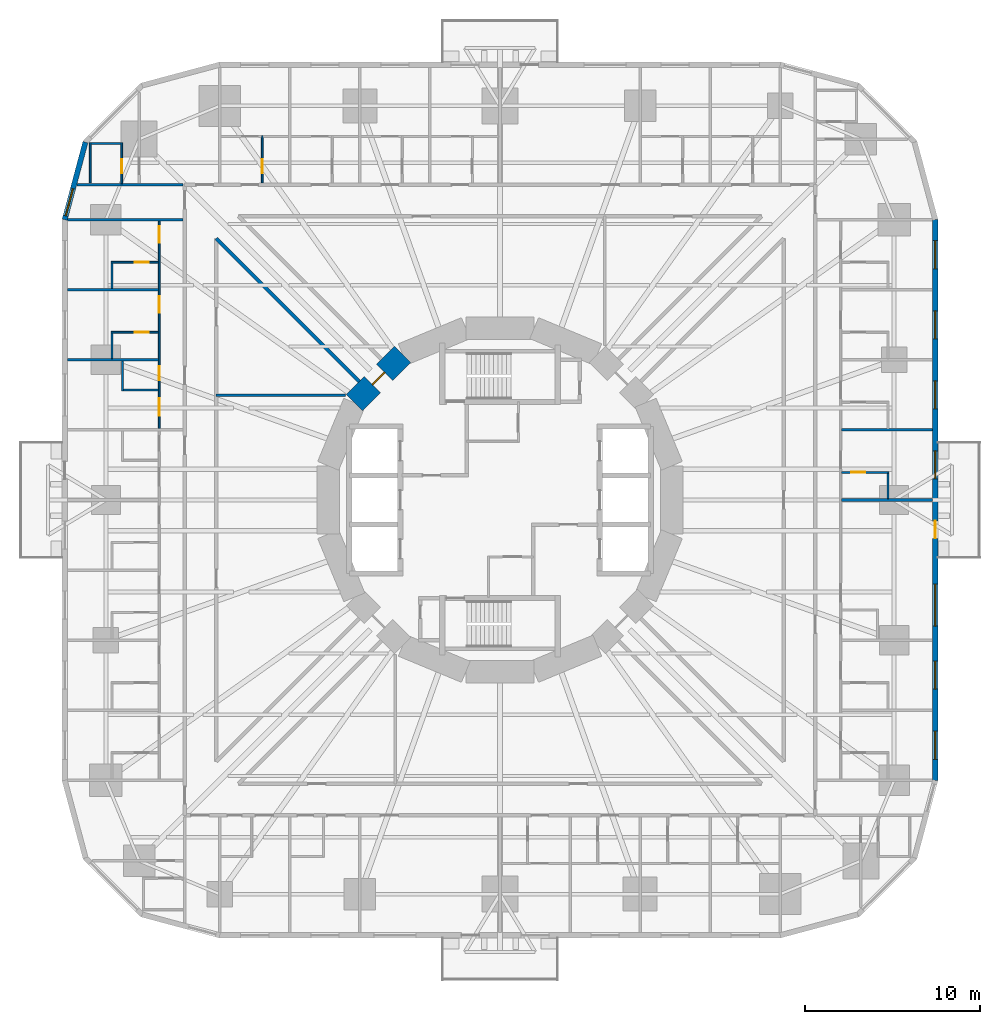
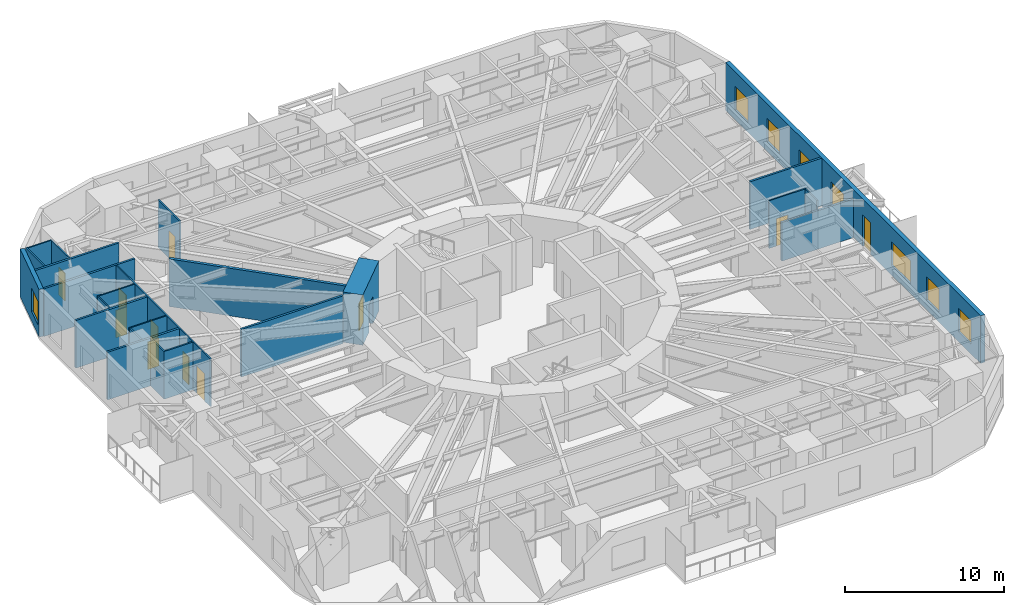
# One storey, part 9 of 14: 24 walls, 11 doors, 8 windows, 19 openings.
"""IFC4 building model written with IfcOpenShell, lengths in metres."""

from ifc_helpers import new_model, si_unit, direction, frame, frame_2d, origin, place, context, subcontext, project, spatial, rectangle, extrude, material, layer, layer_set, type_object, element, fill, save


model = new_model("IFC4")

# Units and contexts
model_context = context("Model", 3, precision=1e-05, world=origin(), true_north=direction((0.0, 1.0)))
body_context = subcontext(model_context, "Body", "Model", "MODEL_VIEW")
ifc_project = project(units=[si_unit("LENGTHUNIT", "METRE"), si_unit("AREAUNIT", "SQUARE_METRE"), si_unit("VOLUMEUNIT", "CUBIC_METRE"), si_unit("PLANEANGLEUNIT", "RADIAN"), si_unit("MASSUNIT", "GRAM", prefix="KILO")], contexts=[model_context])

# Site, building, storey
site_placement = place(None, origin())
site = spatial("IfcSite", under=ifc_project, at=site_placement, CompositionType="ELEMENT")
building_placement = place(site_placement, origin())
building = spatial("IfcBuilding", under=site, at=building_placement, Name="Nakasero Lantern House", CompositionType="ELEMENT")
storey_placement = place(building_placement, frame((0.0, 0.0, 27.550048828125)))
storey = spatial("IfcBuildingStorey", under=building, at=storey_placement, Name="L06", CompositionType="ELEMENT", Elevation=27.550048828125)

# Wall, openings, doors
ifc_material_1 = material(Name="Blockwork", Category="masonry")
ifc_layer_1 = layer(ifc_material_1, 0.10009765625)
ifc_layer_set_1 = layer_set([ifc_layer_1], Name="Cluster hall wall 100")
wall_type_1 = type_object("IfcWallType", Name="Cluster hall wall 100", PredefinedType="PARTITIONING", material=ifc_layer_set_1)
wall_1_placement = place(storey_placement, frame((-19.449951171875, 15.925048828125, 0.0), z_axis=(0.0, 0.0, 1.0), x_axis=(0.0, -1.0, 0.0)))
wall_1 = element("IfcWall", 1, at=wall_1_placement, inside=storey, type_object=wall_type_1, Name="Cluster hall wall L06 HW2-0", PredefinedType="PARTITIONING", context=body_context, shape_type="SweptSolid", body=[
    extrude(rectangle(XDim=11.85009765625, YDim=0.10009765625, at=frame_2d((5.925048828125, 0.0))), origin(), (0.0, 0.0, 1.0), 3.64990234375),
])
opening_1_placement = place(wall_1_placement, frame((10.125, 0.0, 0.0)))
opening_1 = element("IfcOpeningElement", 2, at=opening_1_placement, cuts=wall_1, Name="Opening D03", PredefinedType="OPENING", context=body_context, shape_type="SweptSolid", body=[
    extrude(rectangle(XDim=1.0, YDim=2.10009765625, at=frame_2d((0.5, 1.050048828125))), frame((0.0, 0.070068359375, 0.0), z_axis=(0.0, -1.0, 0.0), x_axis=(1.0, 0.0, 0.0)), (0.0, 0.0, 1.0), 0.14013671875),
])
opening_2_placement = place(wall_1_placement, frame((8.300048828125, 0.0, 0.0)))
opening_2 = element("IfcOpeningElement", 3, at=opening_2_placement, cuts=wall_1, Name="Opening D02", PredefinedType="OPENING", context=body_context, shape_type="SweptSolid", body=[
    extrude(rectangle(XDim=0.800048828125, YDim=2.10009765625, at=frame_2d((0.39990234375, 1.050048828125))), frame((0.0, 0.070068359375, 0.0), z_axis=(0.0, -1.0, 0.0), x_axis=(1.0, 0.0, 0.0)), (0.0, 0.0, 1.0), 0.14013671875),
])
opening_3_placement = place(wall_1_placement, frame((0.300048828125, 0.0, 0.0)))
opening_3 = element("IfcOpeningElement", 4, at=opening_3_placement, cuts=wall_1, Name="Opening D01", PredefinedType="OPENING", context=body_context, shape_type="SweptSolid", body=[
    extrude(rectangle(XDim=0.949951171875, YDim=2.10009765625, at=frame_2d((0.47509765625, 1.050048828125))), frame((0.0, 0.070068359375, 0.0), z_axis=(0.0, -1.0, 0.0), x_axis=(1.0, 0.0, 0.0)), (0.0, 0.0, 1.0), 0.14013671875),
])
opening_4_placement = place(wall_1_placement, frame((4.300048828125, 0.0, 0.0)))
opening_4 = element("IfcOpeningElement", 5, at=opening_4_placement, cuts=wall_1, Name="Opening D01", PredefinedType="OPENING", context=body_context, shape_type="SweptSolid", body=[
    extrude(rectangle(XDim=0.949951171875, YDim=2.10009765625, at=frame_2d((0.47509765625, 1.050048828125))), frame((0.0, 0.070068359375, 0.0), z_axis=(0.0, -1.0, 0.0), x_axis=(1.0, 0.0, 0.0)), (0.0, 0.0, 1.0), 0.14013671875),
])
ifc_material_2 = material(Name="Timber C24", Category="wood")
door_type_1 = type_object("IfcDoorType", Name="Bedroom door FD30S 950", OperationType="SINGLE_SWING_LEFT", PredefinedType="DOOR", material=ifc_material_2)
door_1_placement = place(opening_3_placement, origin())
door_1 = element("IfcDoor", 6, at=door_1_placement, inside=storey, type_object=door_type_1, Name="Door L06 D2-01", OperationType="SINGLE_SWING_LEFT", OverallHeight=2.10009765625, OverallWidth=0.949951171875, PredefinedType="DOOR", context=body_context, shape_type="SweptSolid", body=[
    extrude(rectangle(XDim=0.949951171875, YDim=2.10009765625, at=frame_2d((0.47509765625, 1.050048828125))), frame((0.0, 0.02490234375, 0.0), z_axis=(0.0, -1.0, 0.0), x_axis=(1.0, 0.0, 0.0)), (0.0, 0.0, 1.0), 0.050048828125),
])
fill(opening_3, door_1)
door_2_placement = place(opening_4_placement, origin())
door_2 = element("IfcDoor", 7, at=door_2_placement, inside=storey, type_object=door_type_1, Name="Door L06 D2-02", OperationType="SINGLE_SWING_LEFT", OverallHeight=2.10009765625, OverallWidth=0.949951171875, PredefinedType="DOOR", context=body_context, shape_type="SweptSolid", body=[
    extrude(rectangle(XDim=0.949951171875, YDim=2.10009765625, at=frame_2d((0.47509765625, 1.050048828125))), frame((0.0, 0.02490234375, 0.0), z_axis=(0.0, -1.0, 0.0), x_axis=(1.0, 0.0, 0.0)), (0.0, 0.0, 1.0), 0.050048828125),
])
fill(opening_4, door_2)
ifc_material_3 = material(Name="Timber C24", Category="wood")
door_type_2 = type_object("IfcDoorType", Name="En-suite door 800", OperationType="SINGLE_SWING_RIGHT", PredefinedType="DOOR", material=ifc_material_3)
door_3_placement = place(opening_2_placement, origin())
door_3 = element("IfcDoor", 8, at=door_3_placement, inside=storey, type_object=door_type_2, Name="Door L06 DSH2-0", OperationType="SINGLE_SWING_RIGHT", OverallHeight=2.10009765625, OverallWidth=0.800048828125, PredefinedType="DOOR", context=body_context, shape_type="SweptSolid", body=[
    extrude(rectangle(XDim=0.800048828125, YDim=2.10009765625, at=frame_2d((0.39990234375, 1.050048828125))), frame((0.0, 0.02490234375, 0.0), z_axis=(0.0, -1.0, 0.0), x_axis=(1.0, 0.0, 0.0)), (0.0, 0.0, 1.0), 0.050048828125),
])
fill(opening_2, door_3)
ifc_material_4 = material(Name="Timber C24", Category="wood")
door_type_3 = type_object("IfcDoorType", Name="Lounge door FD30S 1000", OperationType="SINGLE_SWING_LEFT", PredefinedType="DOOR", material=ifc_material_4)
door_4_placement = place(opening_1_placement, origin())
door_4 = element("IfcDoor", 9, at=door_4_placement, inside=storey, type_object=door_type_3, Name="Door L06 DH2-0", OperationType="SINGLE_SWING_RIGHT", OverallHeight=2.10009765625, OverallWidth=1.0, PredefinedType="DOOR", context=body_context, shape_type="SweptSolid", body=[
    extrude(rectangle(XDim=1.0, YDim=2.10009765625, at=frame_2d((0.5, 1.050048828125))), frame((0.0, 0.02490234375, 0.0), z_axis=(0.0, -1.0, 0.0), x_axis=(1.0, 0.0, 0.0)), (0.0, 0.0, 1.0), 0.050048828125),
])
fill(opening_1, door_4)

# Wall, opening, door
ifc_material_5 = material(Name="Concrete C50/60", Category="concrete")
ifc_layer_2 = layer(ifc_material_5, 1.300048828125)
ifc_layer_set_2 = layer_set([ifc_layer_2], Name="Core wall 1300")
wall_type_2 = type_object("IfcWallType", Name="Core wall 1300", PredefinedType="SHEAR", material=ifc_layer_set_2)
wall_2_placement = place(storey_placement, frame((-5.5556640625, 8.314697265625, 0.0), z_axis=(0.0, 0.0, 1.0), x_axis=(-0.707106781187, -0.707106781187, 0.0)))
wall_2 = element("IfcWall", 10, at=wall_2_placement, inside=storey, type_object=wall_type_2, Name="Core wall L06 facet 6", PredefinedType="SHEAR", context=body_context, shape_type="SweptSolid", body=[
    extrude(rectangle(XDim=3.90185546875, YDim=1.300048828125, at=frame_2d((1.950927734375, 0.0))), origin(), (0.0, 0.0, 1.0), 3.849853515625),
])
opening_5_placement = place(wall_2_placement, frame((1.450927734375, 0.0, 0.0)))
opening_5 = element("IfcOpeningElement", 11, at=opening_5_placement, cuts=wall_2, Name="Opening D05", PredefinedType="OPENING", context=body_context, shape_type="SweptSolid", body=[
    extrude(rectangle(XDim=1.0, YDim=2.10009765625, at=frame_2d((0.5, 1.050048828125))), frame((0.0, 0.669921875, 0.0), z_axis=(0.0, -1.0, 0.0), x_axis=(1.0, 0.0, 0.0)), (0.0, 0.0, 1.0), 1.340087890625),
])
ifc_material_6 = material(Name="Timber C24", Category="wood")
door_type_4 = type_object("IfcDoorType", Name="Core door FD60S 1000", OperationType="SINGLE_SWING_LEFT", PredefinedType="DOOR", material=ifc_material_6)
door_5_placement = place(opening_5_placement, origin())
door_5 = element("IfcDoor", 12, at=door_5_placement, inside=storey, type_object=door_type_4, Name="Door L06 D-CORE06", OperationType="SINGLE_SWING_LEFT", OverallHeight=2.10009765625, OverallWidth=1.0, PredefinedType="DOOR", context=body_context, shape_type="SweptSolid", body=[
    extrude(rectangle(XDim=1.0, YDim=2.10009765625, at=frame_2d((0.5, 1.050048828125))), frame((0.0, 0.02490234375, 0.0), z_axis=(0.0, -1.0, 0.0), x_axis=(1.0, 0.0, 0.0)), (0.0, 0.0, 1.0), 0.050048828125),
])
fill(opening_5, door_5)

# Wall
ifc_material_7 = material(Name="Blockwork", Category="masonry")
ifc_layer_3 = layer(ifc_material_7, 0.199951171875)
ifc_layer_set_3 = layer_set([ifc_layer_3], Name="Corridor wall 200")
wall_type_3 = type_object("IfcWallType", Name="Corridor wall 200", PredefinedType="PARTITIONING", material=ifc_layer_set_3)
wall_3_placement = place(storey_placement, frame((-8.03125, 6.758544921875, 0.0), z_axis=(0.0, 0.0, 1.0), x_axis=(-0.707106781187, 0.707106781187, 0.0)))
element("IfcWall", 13, at=wall_3_placement, inside=storey, type_object=wall_type_3, Name="Corridor wall L06 PS06a", PredefinedType="PARTITIONING", context=body_context, shape_type="SweptSolid", body=[
    extrude(rectangle(XDim=11.55224609375, YDim=0.199951171875, at=frame_2d((5.776123046875, 0.0))), origin(), (0.0, 0.0, 1.0), 3.64990234375),
])

# Wall, opening, door
ifc_material_8 = material(Name="Blockwork", Category="masonry")
ifc_layer_4 = layer(ifc_material_8, 0.10009765625)
ifc_layer_set_4 = layer_set([ifc_layer_4], Name="En-suite wall 100")
wall_type_4 = type_object("IfcWallType", Name="En-suite wall 100", PredefinedType="PARTITIONING", material=ifc_layer_set_4)
wall_4_placement = place(storey_placement, frame((19.5, 1.574951171875, 0.0), z_axis=(0.0, 0.0, 1.0), x_axis=(1.0, 0.0, 0.0)))
wall_4 = element("IfcWall", 14, at=wall_4_placement, inside=storey, type_object=wall_type_4, Name="En-suite wall L06 ES0-05", PredefinedType="PARTITIONING", context=body_context, shape_type="SweptSolid", body=[
    extrude(rectangle(XDim=2.699951171875, YDim=0.10009765625, at=frame_2d((1.35009765625, 0.0))), origin(), (0.0, 0.0, 1.0), 3.64990234375),
])
opening_6_placement = place(wall_4_placement, frame((0.550048828125, 0.0, 0.0)))
opening_6 = element("IfcOpeningElement", 15, at=opening_6_placement, cuts=wall_4, Name="Opening D02", PredefinedType="OPENING", context=body_context, shape_type="SweptSolid", body=[
    extrude(rectangle(XDim=0.800048828125, YDim=2.10009765625, at=frame_2d((0.39990234375, 1.050048828125))), frame((0.0, 0.070068359375, 0.0), z_axis=(0.0, -1.0, 0.0), x_axis=(1.0, 0.0, 0.0)), (0.0, 0.0, 1.0), 0.14013671875),
])
door_6_placement = place(opening_6_placement, origin())
door_6 = element("IfcDoor", 16, at=door_6_placement, inside=storey, type_object=door_type_2, Name="Door L06 DE0-05", OperationType="SINGLE_SWING_LEFT", OverallHeight=2.10009765625, OverallWidth=0.800048828125, PredefinedType="DOOR", context=body_context, shape_type="SweptSolid", body=[
    extrude(rectangle(XDim=0.800048828125, YDim=2.10009765625, at=frame_2d((0.39990234375, 1.050048828125))), frame((0.0, 0.02490234375, 0.0), z_axis=(0.0, -1.0, 0.0), x_axis=(1.0, 0.0, 0.0)), (0.0, 0.0, 1.0), 0.050048828125),
])
fill(opening_6, door_6)

# Wall
wall_5_placement = place(storey_placement, frame((22.14990234375, 0.074951171875, 0.0), z_axis=(0.0, 0.0, 1.0), x_axis=(0.0, 1.0, 0.0)))
element("IfcWall", 17, at=wall_5_placement, inside=storey, type_object=wall_type_4, Name="En-suite wall L06 EE0-05", PredefinedType="PARTITIONING", context=body_context, shape_type="SweptSolid", body=[
    extrude(rectangle(XDim=1.449951171875, YDim=0.10009765625, at=frame_2d((0.72509765625, 0.0))), origin(), (0.0, 0.0, 1.0), 3.64990234375),
])

# Wall, opening, door
wall_6_placement = place(storey_placement, frame((-13.574951171875, 18.10009765625, 0.0), z_axis=(0.0, 0.0, 1.0), x_axis=(0.0, 1.0, 0.0)))
wall_6 = element("IfcWall", 18, at=wall_6_placement, inside=storey, type_object=wall_type_4, Name="En-suite wall L06 ES1-08", PredefinedType="PARTITIONING", context=body_context, shape_type="SweptSolid", body=[
    extrude(rectangle(XDim=2.699951171875, YDim=0.10009765625, at=frame_2d((1.35009765625, 0.0))), origin(), (0.0, 0.0, 1.0), 3.64990234375),
])
opening_7_placement = place(wall_6_placement, frame((0.550048828125, 0.0, 0.0)))
opening_7 = element("IfcOpeningElement", 19, at=opening_7_placement, cuts=wall_6, Name="Opening D02", PredefinedType="OPENING", context=body_context, shape_type="SweptSolid", body=[
    extrude(rectangle(XDim=0.800048828125, YDim=2.10009765625, at=frame_2d((0.39990234375, 1.050048828125))), frame((0.0, 0.070068359375, 0.0), z_axis=(0.0, -1.0, 0.0), x_axis=(1.0, 0.0, 0.0)), (0.0, 0.0, 1.0), 0.14013671875),
])
door_7_placement = place(opening_7_placement, origin())
door_7 = element("IfcDoor", 20, at=door_7_placement, inside=storey, type_object=door_type_2, Name="Door L06 DE1-08", OperationType="SINGLE_SWING_LEFT", OverallHeight=2.10009765625, OverallWidth=0.800048828125, PredefinedType="DOOR", context=body_context, shape_type="SweptSolid", body=[
    extrude(rectangle(XDim=0.800048828125, YDim=2.10009765625, at=frame_2d((0.39990234375, 1.050048828125))), frame((0.0, 0.02490234375, 0.0), z_axis=(0.0, -1.0, 0.0), x_axis=(1.0, 0.0, 0.0)), (0.0, 0.0, 1.0), 0.050048828125),
])
fill(opening_7, door_7)

wall_7_placement = place(storey_placement, frame((-21.59619140625, 18.06494140625, 0.0), z_axis=(0.0, 0.0, 1.0), x_axis=(0.0, 1.0, 0.0)))
wall_7 = element("IfcWall", 21, at=wall_7_placement, inside=storey, type_object=wall_type_4, Name="En-suite wall L06 ES1-09", PredefinedType="PARTITIONING", context=body_context, shape_type="SweptSolid", body=[
    extrude(rectangle(XDim=2.3349609375, YDim=0.10009765625, at=frame_2d((1.16748046875, 0.0))), origin(), (0.0, 0.0, 1.0), 3.64990234375),
])
opening_8_placement = place(wall_7_placement, frame((0.5849609375, 0.0, 0.0)))
opening_8 = element("IfcOpeningElement", 22, at=opening_8_placement, cuts=wall_7, Name="Opening D02", PredefinedType="OPENING", context=body_context, shape_type="SweptSolid", body=[
    extrude(rectangle(XDim=0.800048828125, YDim=2.10009765625, at=frame_2d((0.39990234375, 1.050048828125))), frame((0.0, 0.070068359375, 0.0), z_axis=(0.0, -1.0, 0.0), x_axis=(1.0, 0.0, 0.0)), (0.0, 0.0, 1.0), 0.14013671875),
])
door_8_placement = place(opening_8_placement, origin())
door_8 = element("IfcDoor", 23, at=door_8_placement, inside=storey, type_object=door_type_2, Name="Door L06 DE1-09", OperationType="SINGLE_SWING_LEFT", OverallHeight=2.10009765625, OverallWidth=0.800048828125, PredefinedType="DOOR", context=body_context, shape_type="SweptSolid", body=[
    extrude(rectangle(XDim=0.800048828125, YDim=2.10009765625, at=frame_2d((0.39990234375, 1.050048828125))), frame((0.0, 0.02490234375, 0.0), z_axis=(0.0, -1.0, 0.0), x_axis=(1.0, 0.0, 0.0)), (0.0, 0.0, 1.0), 0.050048828125),
])
fill(opening_8, door_8)

# Walls
wall_8_placement = place(storey_placement, frame((-21.646240234375, 20.35009765625, 0.0), z_axis=(0.0, 0.0, 1.0), x_axis=(-1.0, 0.0, 0.0)))
element("IfcWall", 24, at=wall_8_placement, inside=storey, type_object=wall_type_4, Name="En-suite wall L06 EE1-09", PredefinedType="PARTITIONING", context=body_context, shape_type="SweptSolid", body=[
    extrude(rectangle(XDim=1.699951171875, YDim=0.10009765625, at=frame_2d((0.85009765625, 0.0))), origin(), (0.0, 0.0, 1.0), 3.64990234375),
])
wall_9_placement = place(storey_placement, frame((-23.396240234375, 18.10009765625, 0.0), z_axis=(0.0, 0.0, 1.0), x_axis=(0.0, 1.0, 0.0)))
element("IfcWall", 25, at=wall_9_placement, inside=storey, type_object=wall_type_4, Name="En-suite wall L06 EV1-09", PredefinedType="PARTITIONING", context=body_context, shape_type="SweptSolid", body=[
    extrude(rectangle(XDim=2.2998046875, YDim=0.10009765625, at=frame_2d((1.14990234375, 0.0))), origin(), (0.0, 0.0, 1.0), 3.64990234375),
])
wall_10_placement = place(storey_placement, frame((-19.5, 6.27490234375, 0.0), z_axis=(0.0, 0.0, 1.0), x_axis=(-1.0, 0.0, 0.0)))
element("IfcWall", 26, at=wall_10_placement, inside=storey, type_object=wall_type_4, Name="En-suite wall L06 SS2-0", PredefinedType="PARTITIONING", context=body_context, shape_type="SweptSolid", body=[
    extrude(rectangle(XDim=2.10009765625, YDim=0.10009765625, at=frame_2d((1.050048828125, 0.0))), origin(), (0.0, 0.0, 1.0), 3.64990234375),
])
wall_11_placement = place(storey_placement, frame((-21.550048828125, 7.925048828125, 0.0), z_axis=(0.0, 0.0, 1.0), x_axis=(0.0, -1.0, 0.0)))
element("IfcWall", 27, at=wall_11_placement, inside=storey, type_object=wall_type_4, Name="En-suite wall L06 SE2-0", PredefinedType="PARTITIONING", context=body_context, shape_type="SweptSolid", body=[
    extrude(rectangle(XDim=1.699951171875, YDim=0.10009765625, at=frame_2d((0.85009765625, 0.0))), origin(), (0.0, 0.0, 1.0), 3.64990234375),
])

# Wall, opening, door
wall_12_placement = place(storey_placement, frame((-19.5, 13.574951171875, 0.0), z_axis=(0.0, 0.0, 1.0), x_axis=(-1.0, 0.0, 0.0)))
wall_12 = element("IfcWall", 28, at=wall_12_placement, inside=storey, type_object=wall_type_4, Name="En-suite wall L06 ES2-01", PredefinedType="PARTITIONING", context=body_context, shape_type="SweptSolid", body=[
    extrude(rectangle(XDim=2.699951171875, YDim=0.10009765625, at=frame_2d((1.35009765625, 0.0))), origin(), (0.0, 0.0, 1.0), 3.64990234375),
])
opening_9_placement = place(wall_12_placement, frame((0.550048828125, 0.0, 0.0)))
opening_9 = element("IfcOpeningElement", 29, at=opening_9_placement, cuts=wall_12, Name="Opening D02", PredefinedType="OPENING", context=body_context, shape_type="SweptSolid", body=[
    extrude(rectangle(XDim=0.800048828125, YDim=2.10009765625, at=frame_2d((0.39990234375, 1.050048828125))), frame((0.0, 0.070068359375, 0.0), z_axis=(0.0, -1.0, 0.0), x_axis=(1.0, 0.0, 0.0)), (0.0, 0.0, 1.0), 0.14013671875),
])
door_9_placement = place(opening_9_placement, origin())
door_9 = element("IfcDoor", 30, at=door_9_placement, inside=storey, type_object=door_type_2, Name="Door L06 DE2-01", OperationType="SINGLE_SWING_LEFT", OverallHeight=2.10009765625, OverallWidth=0.800048828125, PredefinedType="DOOR", context=body_context, shape_type="SweptSolid", body=[
    extrude(rectangle(XDim=0.800048828125, YDim=2.10009765625, at=frame_2d((0.39990234375, 1.050048828125))), frame((0.0, 0.02490234375, 0.0), z_axis=(0.0, -1.0, 0.0), x_axis=(1.0, 0.0, 0.0)), (0.0, 0.0, 1.0), 0.050048828125),
])
fill(opening_9, door_9)

# Wall
wall_13_placement = place(storey_placement, frame((-22.14990234375, 13.52490234375, 0.0), z_axis=(0.0, 0.0, 1.0), x_axis=(0.0, -1.0, 0.0)))
element("IfcWall", 31, at=wall_13_placement, inside=storey, type_object=wall_type_4, Name="En-suite wall L06 EE2-01", PredefinedType="PARTITIONING", context=body_context, shape_type="SweptSolid", body=[
    extrude(rectangle(XDim=1.449951171875, YDim=0.10009765625, at=frame_2d((0.72509765625, 0.0))), origin(), (0.0, 0.0, 1.0), 3.64990234375),
])

# Wall, opening, door
wall_14_placement = place(storey_placement, frame((-19.5, 9.574951171875, 0.0), z_axis=(0.0, 0.0, 1.0), x_axis=(-1.0, 0.0, 0.0)))
wall_14 = element("IfcWall", 32, at=wall_14_placement, inside=storey, type_object=wall_type_4, Name="En-suite wall L06 ES2-02", PredefinedType="PARTITIONING", context=body_context, shape_type="SweptSolid", body=[
    extrude(rectangle(XDim=2.699951171875, YDim=0.10009765625, at=frame_2d((1.35009765625, 0.0))), origin(), (0.0, 0.0, 1.0), 3.64990234375),
])
opening_10_placement = place(wall_14_placement, frame((0.550048828125, 0.0, 0.0)))
opening_10 = element("IfcOpeningElement", 33, at=opening_10_placement, cuts=wall_14, Name="Opening D02", PredefinedType="OPENING", context=body_context, shape_type="SweptSolid", body=[
    extrude(rectangle(XDim=0.800048828125, YDim=2.10009765625, at=frame_2d((0.39990234375, 1.050048828125))), frame((0.0, 0.070068359375, 0.0), z_axis=(0.0, -1.0, 0.0), x_axis=(1.0, 0.0, 0.0)), (0.0, 0.0, 1.0), 0.14013671875),
])
door_10_placement = place(opening_10_placement, origin())
door_10 = element("IfcDoor", 34, at=door_10_placement, inside=storey, type_object=door_type_2, Name="Door L06 DE2-02", OperationType="SINGLE_SWING_LEFT", OverallHeight=2.10009765625, OverallWidth=0.800048828125, PredefinedType="DOOR", context=body_context, shape_type="SweptSolid", body=[
    extrude(rectangle(XDim=0.800048828125, YDim=2.10009765625, at=frame_2d((0.39990234375, 1.050048828125))), frame((0.0, 0.02490234375, 0.0), z_axis=(0.0, -1.0, 0.0), x_axis=(1.0, 0.0, 0.0)), (0.0, 0.0, 1.0), 0.050048828125),
])
fill(opening_10, door_10)

# Wall
wall_15_placement = place(storey_placement, frame((-22.14990234375, 9.52490234375, 0.0), z_axis=(0.0, 0.0, 1.0), x_axis=(0.0, -1.0, 0.0)))
element("IfcWall", 35, at=wall_15_placement, inside=storey, type_object=wall_type_4, Name="En-suite wall L06 EE2-02", PredefinedType="PARTITIONING", context=body_context, shape_type="SweptSolid", body=[
    extrude(rectangle(XDim=1.449951171875, YDim=0.10009765625, at=frame_2d((0.72509765625, 0.0))), origin(), (0.0, 0.0, 1.0), 3.64990234375),
])

# Wall, openings, door, windows
ifc_material_9 = material(Name="Aluminium rainscreen on blockwork", Category="masonry")
ifc_layer_5 = layer(ifc_material_9, 0.300048828125)
ifc_layer_set_5 = layer_set([ifc_layer_5], Name="Facade wall 300")
wall_type_5 = type_object("IfcWallType", Name="Facade wall 300", PredefinedType="SOLIDWALL", material=ifc_layer_set_5)
wall_16_placement = place(storey_placement, frame((24.85009765625, -16.0, 0.0), z_axis=(0.0, 0.0, 1.0), x_axis=(0.0, 1.0, 0.0)))
wall_16 = element("IfcWall", 36, at=wall_16_placement, inside=storey, type_object=wall_type_5, Name="Facade wall L06 FW0S", PredefinedType="SOLIDWALL", context=body_context, shape_type="SweptSolid", body=[
    extrude(rectangle(XDim=32.0, YDim=0.300048828125, at=frame_2d((16.0, 0.0))), origin(), (0.0, 0.0, 1.0), 3.64990234375),
])
opening_11_placement = place(wall_16_placement, frame((1.199951171875, 0.0, 0.75)))
opening_11 = element("IfcOpeningElement", 37, at=opening_11_placement, cuts=wall_16, Name="Opening W01", PredefinedType="OPENING", context=body_context, shape_type="SweptSolid", body=[
    extrude(rectangle(XDim=1.60009765625, YDim=1.800048828125, at=frame_2d((0.800048828125, 0.89990234375))), frame((0.0, 0.169921875, 0.0), z_axis=(0.0, -1.0, 0.0), x_axis=(1.0, 0.0, 0.0)), (0.0, 0.0, 1.0), 0.340087890625),
])
opening_12_placement = place(wall_16_placement, frame((5.199951171875, 0.0, 0.75)))
opening_12 = element("IfcOpeningElement", 38, at=opening_12_placement, cuts=wall_16, Name="Opening W01", PredefinedType="OPENING", context=body_context, shape_type="SweptSolid", body=[
    extrude(rectangle(XDim=1.60009765625, YDim=1.800048828125, at=frame_2d((0.800048828125, 0.89990234375))), frame((0.0, 0.169921875, 0.0), z_axis=(0.0, -1.0, 0.0), x_axis=(1.0, 0.0, 0.0)), (0.0, 0.0, 1.0), 0.340087890625),
])
opening_13_placement = place(wall_16_placement, frame((17.199951171875, 0.0, 0.75)))
opening_13 = element("IfcOpeningElement", 39, at=opening_13_placement, cuts=wall_16, Name="Opening W01", PredefinedType="OPENING", context=body_context, shape_type="SweptSolid", body=[
    extrude(rectangle(XDim=1.60009765625, YDim=1.800048828125, at=frame_2d((0.800048828125, 0.89990234375))), frame((0.0, 0.169921875, 0.0), z_axis=(0.0, -1.0, 0.0), x_axis=(1.0, 0.0, 0.0)), (0.0, 0.0, 1.0), 0.340087890625),
])
opening_14_placement = place(wall_16_placement, frame((21.199951171875, 0.0, 0.75)))
opening_14 = element("IfcOpeningElement", 40, at=opening_14_placement, cuts=wall_16, Name="Opening W01", PredefinedType="OPENING", context=body_context, shape_type="SweptSolid", body=[
    extrude(rectangle(XDim=1.60009765625, YDim=1.800048828125, at=frame_2d((0.800048828125, 0.89990234375))), frame((0.0, 0.169921875, 0.0), z_axis=(0.0, -1.0, 0.0), x_axis=(1.0, 0.0, 0.0)), (0.0, 0.0, 1.0), 0.340087890625),
])
opening_15_placement = place(wall_16_placement, frame((25.199951171875, 0.0, 0.75)))
opening_15 = element("IfcOpeningElement", 41, at=opening_15_placement, cuts=wall_16, Name="Opening W01", PredefinedType="OPENING", context=body_context, shape_type="SweptSolid", body=[
    extrude(rectangle(XDim=1.60009765625, YDim=1.800048828125, at=frame_2d((0.800048828125, 0.89990234375))), frame((0.0, 0.169921875, 0.0), z_axis=(0.0, -1.0, 0.0), x_axis=(1.0, 0.0, 0.0)), (0.0, 0.0, 1.0), 0.340087890625),
])
opening_16_placement = place(wall_16_placement, frame((29.199951171875, 0.0, 0.75)))
opening_16 = element("IfcOpeningElement", 42, at=opening_16_placement, cuts=wall_16, Name="Opening W01", PredefinedType="OPENING", context=body_context, shape_type="SweptSolid", body=[
    extrude(rectangle(XDim=1.60009765625, YDim=1.800048828125, at=frame_2d((0.800048828125, 0.89990234375))), frame((0.0, 0.169921875, 0.0), z_axis=(0.0, -1.0, 0.0), x_axis=(1.0, 0.0, 0.0)), (0.0, 0.0, 1.0), 0.340087890625),
])
opening_17_placement = place(wall_16_placement, frame((8.800048828125, 0.0, 0.75)))
opening_17 = element("IfcOpeningElement", 43, at=opening_17_placement, cuts=wall_16, Name="Opening W03", PredefinedType="OPENING", context=body_context, shape_type="SweptSolid", body=[
    extrude(rectangle(XDim=2.39990234375, YDim=1.800048828125, at=frame_2d((1.199951171875, 0.89990234375))), frame((0.0, 0.169921875, 0.0), z_axis=(0.0, -1.0, 0.0), x_axis=(1.0, 0.0, 0.0)), (0.0, 0.0, 1.0), 0.340087890625),
])
opening_18_placement = place(wall_16_placement, frame((13.8125, 0.0, 0.0)))
opening_18 = element("IfcOpeningElement", 44, at=opening_18_placement, cuts=wall_16, Name="Opening D04", PredefinedType="OPENING", context=body_context, shape_type="SweptSolid", body=[
    extrude(rectangle(XDim=1.0, YDim=2.39990234375, at=frame_2d((0.5, 1.199951171875))), frame((0.0, 0.169921875, 0.0), z_axis=(0.0, -1.0, 0.0), x_axis=(1.0, 0.0, 0.0)), (0.0, 0.0, 1.0), 0.340087890625),
])
ifc_material_10 = material(Name="Aluminium 6063-T6 and glass", Category="aluminium")
door_type_5 = type_object("IfcDoorType", Name="Balcony door 1000x2400", OperationType="SINGLE_SWING_RIGHT", PredefinedType="DOOR", material=ifc_material_10)
door_11_placement = place(opening_18_placement, origin())
door_11 = element("IfcDoor", 45, at=door_11_placement, inside=storey, type_object=door_type_5, Name="Balcony door L06 DB0", OperationType="SINGLE_SWING_RIGHT", OverallHeight=2.39990234375, OverallWidth=1.0, PredefinedType="DOOR", context=body_context, shape_type="SweptSolid", body=[
    extrude(rectangle(XDim=1.0, YDim=2.39990234375, at=frame_2d((0.5, 1.199951171875))), frame((0.0, 0.02490234375, 0.0), z_axis=(0.0, -1.0, 0.0), x_axis=(1.0, 0.0, 0.0)), (0.0, 0.0, 1.0), 0.050048828125),
])
fill(opening_18, door_11)
ifc_material_11 = material(Name="Aluminium 6063-T6 and glass", Category="aluminium")
window_type_1 = type_object("IfcWindowType", Name="Bedroom window 1600x1800", PartitioningType="SINGLE_PANEL", PredefinedType="WINDOW", material=ifc_material_11)
window_1_placement = place(opening_11_placement, origin())
window_1 = element("IfcWindow", 46, at=window_1_placement, inside=storey, type_object=window_type_1, Name="Window L06 WN0-01", OverallHeight=1.800048828125, OverallWidth=1.60009765625, PartitioningType="SINGLE_PANEL", PredefinedType="WINDOW", context=body_context, shape_type="SweptSolid", body=[
    extrude(rectangle(XDim=1.60009765625, YDim=1.800048828125, at=frame_2d((0.800048828125, 0.89990234375))), frame((0.0, 0.030029296875, 0.0), z_axis=(0.0, -1.0, 0.0), x_axis=(1.0, 0.0, 0.0)), (0.0, 0.0, 1.0), 0.06005859375),
])
fill(opening_11, window_1)
window_2_placement = place(opening_12_placement, origin())
window_2 = element("IfcWindow", 47, at=window_2_placement, inside=storey, type_object=window_type_1, Name="Window L06 WN0-02", OverallHeight=1.800048828125, OverallWidth=1.60009765625, PartitioningType="SINGLE_PANEL", PredefinedType="WINDOW", context=body_context, shape_type="SweptSolid", body=[
    extrude(rectangle(XDim=1.60009765625, YDim=1.800048828125, at=frame_2d((0.800048828125, 0.89990234375))), frame((0.0, 0.030029296875, 0.0), z_axis=(0.0, -1.0, 0.0), x_axis=(1.0, 0.0, 0.0)), (0.0, 0.0, 1.0), 0.06005859375),
])
fill(opening_12, window_2)
window_3_placement = place(opening_13_placement, origin())
window_3 = element("IfcWindow", 48, at=window_3_placement, inside=storey, type_object=window_type_1, Name="Window L06 WN0-05", OverallHeight=1.800048828125, OverallWidth=1.60009765625, PartitioningType="SINGLE_PANEL", PredefinedType="WINDOW", context=body_context, shape_type="SweptSolid", body=[
    extrude(rectangle(XDim=1.60009765625, YDim=1.800048828125, at=frame_2d((0.800048828125, 0.89990234375))), frame((0.0, 0.030029296875, 0.0), z_axis=(0.0, -1.0, 0.0), x_axis=(1.0, 0.0, 0.0)), (0.0, 0.0, 1.0), 0.06005859375),
])
fill(opening_13, window_3)
window_4_placement = place(opening_14_placement, origin())
window_4 = element("IfcWindow", 49, at=window_4_placement, inside=storey, type_object=window_type_1, Name="Window L06 WN0-06", OverallHeight=1.800048828125, OverallWidth=1.60009765625, PartitioningType="SINGLE_PANEL", PredefinedType="WINDOW", context=body_context, shape_type="SweptSolid", body=[
    extrude(rectangle(XDim=1.60009765625, YDim=1.800048828125, at=frame_2d((0.800048828125, 0.89990234375))), frame((0.0, 0.030029296875, 0.0), z_axis=(0.0, -1.0, 0.0), x_axis=(1.0, 0.0, 0.0)), (0.0, 0.0, 1.0), 0.06005859375),
])
fill(opening_14, window_4)
window_5_placement = place(opening_15_placement, origin())
window_5 = element("IfcWindow", 50, at=window_5_placement, inside=storey, type_object=window_type_1, Name="Window L06 WN0-07", OverallHeight=1.800048828125, OverallWidth=1.60009765625, PartitioningType="SINGLE_PANEL", PredefinedType="WINDOW", context=body_context, shape_type="SweptSolid", body=[
    extrude(rectangle(XDim=1.60009765625, YDim=1.800048828125, at=frame_2d((0.800048828125, 0.89990234375))), frame((0.0, 0.030029296875, 0.0), z_axis=(0.0, -1.0, 0.0), x_axis=(1.0, 0.0, 0.0)), (0.0, 0.0, 1.0), 0.06005859375),
])
fill(opening_15, window_5)
window_6_placement = place(opening_16_placement, origin())
window_6 = element("IfcWindow", 51, at=window_6_placement, inside=storey, type_object=window_type_1, Name="Window L06 WN0-08", OverallHeight=1.800048828125, OverallWidth=1.60009765625, PartitioningType="SINGLE_PANEL", PredefinedType="WINDOW", context=body_context, shape_type="SweptSolid", body=[
    extrude(rectangle(XDim=1.60009765625, YDim=1.800048828125, at=frame_2d((0.800048828125, 0.89990234375))), frame((0.0, 0.030029296875, 0.0), z_axis=(0.0, -1.0, 0.0), x_axis=(1.0, 0.0, 0.0)), (0.0, 0.0, 1.0), 0.06005859375),
])
fill(opening_16, window_6)
ifc_material_12 = material(Name="Aluminium 6063-T6 and glass", Category="aluminium")
window_type_2 = type_object("IfcWindowType", Name="Lounge window 2400x1800", PartitioningType="SINGLE_PANEL", PredefinedType="WINDOW", material=ifc_material_12)
window_7_placement = place(opening_17_placement, origin())
window_7 = element("IfcWindow", 52, at=window_7_placement, inside=storey, type_object=window_type_2, Name="Window L06 WK0", OverallHeight=1.800048828125, OverallWidth=2.39990234375, PartitioningType="SINGLE_PANEL", PredefinedType="WINDOW", context=body_context, shape_type="SweptSolid", body=[
    extrude(rectangle(XDim=2.39990234375, YDim=1.800048828125, at=frame_2d((1.199951171875, 0.89990234375))), frame((0.0, 0.030029296875, 0.0), z_axis=(0.0, -1.0, 0.0), x_axis=(1.0, 0.0, 0.0)), (0.0, 0.0, 1.0), 0.06005859375),
])
fill(opening_17, window_7)

# Wall, opening, window
wall_17_placement = place(storey_placement, frame((-23.664306640625, 20.425048828125, 0.0), z_axis=(0.0, 0.0, 1.0), x_axis=(-0.258839972501, -0.965920218567, 0.0)))
wall_17 = element("IfcWall", 53, at=wall_17_placement, inside=storey, type_object=wall_type_5, Name="Facade wall L06 FW1C3", PredefinedType="SOLIDWALL", context=body_context, shape_type="SweptSolid", body=[
    extrude(rectangle(XDim=4.5810546875, YDim=0.300048828125, at=frame_2d((2.29052734375, 0.0))), origin(), (0.0, 0.0, 1.0), 3.64990234375),
])
opening_19_placement = place(wall_17_placement, frame((2.74609375, 0.0, 0.75)))
opening_19 = element("IfcOpeningElement", 54, at=opening_19_placement, cuts=wall_17, Name="Opening W01", PredefinedType="OPENING", context=body_context, shape_type="SweptSolid", body=[
    extrude(rectangle(XDim=1.60009765625, YDim=1.800048828125, at=frame_2d((0.800048828125, 0.89990234375))), frame((0.0, 0.169921875, 0.0), z_axis=(0.0, -1.0, 0.0), x_axis=(1.0, 0.0, 0.0)), (0.0, 0.0, 1.0), 0.340087890625),
])
window_8_placement = place(opening_19_placement, origin())
window_8 = element("IfcWindow", 55, at=window_8_placement, inside=storey, type_object=window_type_1, Name="Window L06 WN2-00", OverallHeight=1.800048828125, OverallWidth=1.60009765625, PartitioningType="SINGLE_PANEL", PredefinedType="WINDOW", context=body_context, shape_type="SweptSolid", body=[
    extrude(rectangle(XDim=1.60009765625, YDim=1.800048828125, at=frame_2d((0.800048828125, 0.89990234375))), frame((0.0, 0.030029296875, 0.0), z_axis=(0.0, -1.0, 0.0), x_axis=(1.0, 0.0, 0.0)), (0.0, 0.0, 1.0), 0.06005859375),
])
fill(opening_19, window_8)

# Walls
ifc_material_13 = material(Name="Blockwork", Category="masonry")
ifc_layer_6 = layer(ifc_material_13, 0.14990234375)
ifc_layer_set_6 = layer_set([ifc_layer_6], Name="Party wall 150")
wall_type_6 = type_object("IfcWallType", Name="Party wall 150", PredefinedType="PARTITIONING", material=ifc_layer_set_6)
wall_18_placement = place(storey_placement, frame((19.5, 0.0, 0.0), z_axis=(0.0, 0.0, 1.0), x_axis=(1.0, 0.0, 0.0)))
element("IfcWall", 56, at=wall_18_placement, inside=storey, type_object=wall_type_6, Name="Party wall L06 PW0-05", PredefinedType="PARTITIONING", context=body_context, shape_type="SweptSolid", body=[
    extrude(rectangle(XDim=5.199951171875, YDim=0.14990234375, at=frame_2d((2.60009765625, 0.0))), origin(), (0.0, 0.0, 1.0), 2.95703125),
])
wall_19_placement = place(storey_placement, frame((19.5, 4.0, 0.0), z_axis=(0.0, 0.0, 1.0), x_axis=(1.0, 0.0, 0.0)))
element("IfcWall", 57, at=wall_19_placement, inside=storey, type_object=wall_type_6, Name="Party wall L06 PW0-06", PredefinedType="PARTITIONING", context=body_context, shape_type="SweptSolid", body=[
    extrude(rectangle(XDim=5.199951171875, YDim=0.14990234375, at=frame_2d((2.60009765625, 0.0))), origin(), (0.0, 0.0, 1.0), 3.64990234375),
])
wall_20_placement = place(storey_placement, frame((-18.10009765625, 18.0, 0.0), z_axis=(0.0, 0.0, 1.0), x_axis=(-1.0, 0.0, 0.0)))
element("IfcWall", 58, at=wall_20_placement, inside=storey, type_object=wall_type_6, Name="Party wall L06 PW2-00", PredefinedType="PARTITIONING", context=body_context, shape_type="SweptSolid", body=[
    extrude(rectangle(XDim=6.053466796875, YDim=0.14990234375, at=frame_2d((3.02685546875, 0.0))), origin(), (0.0, 0.0, 1.0), 3.64990234375),
])
wall_21_placement = place(storey_placement, frame((-18.10009765625, 16.0, 0.0), z_axis=(0.0, 0.0, 1.0), x_axis=(-1.0, 0.0, 0.0)))
element("IfcWall", 59, at=wall_21_placement, inside=storey, type_object=wall_type_6, Name="Party wall L06 PW2-01", PredefinedType="PARTITIONING", context=body_context, shape_type="SweptSolid", body=[
    extrude(rectangle(XDim=6.58935546875, YDim=0.14990234375, at=frame_2d((3.294677734375, 0.0))), origin(), (0.0, 0.0, 1.0), 3.64990234375),
])
for number, where, z_axis, x_axis, name in (
    (60, (-19.5, 12.0, 0.0), (0.0, 0.0, 1.0), (-1.0, 0.0, 0.0), "Party wall L06 PW2-02"),
    (61, (-19.5, 8.0, 0.0), (0.0, 0.0, 1.0), (-1.0, 0.0, 0.0), "Party wall L06 PW2-03"),
):
    element("IfcWall", number, at=place(storey_placement, frame(where, z_axis=z_axis, x_axis=x_axis)), inside=storey, type_object=wall_type_6, Name=name, PredefinedType="PARTITIONING", context=body_context, shape_type="SweptSolid", body=[
        extrude(rectangle(XDim=5.199951171875, YDim=0.14990234375, at=frame_2d((2.60009765625, 0.0))), origin(), (0.0, 0.0, 1.0), 3.64990234375),
    ])
wall_22_placement = place(storey_placement, frame((-8.81884765625, 5.970947265625, 0.0), z_axis=(0.0, 0.0, 1.0), x_axis=(-1.0, 0.0, 0.0)))
element("IfcWall", 62, at=wall_22_placement, inside=storey, type_object=wall_type_6, Name="Party wall L06 IS4", PredefinedType="PARTITIONING", context=body_context, shape_type="SweptSolid", body=[
    extrude(rectangle(XDim=7.381103515625, YDim=0.14990234375, at=frame_2d((3.6904296875, 0.0))), origin(), (0.0, 0.0, 1.0), 3.64990234375),
])

save(model, "model.ifc")
